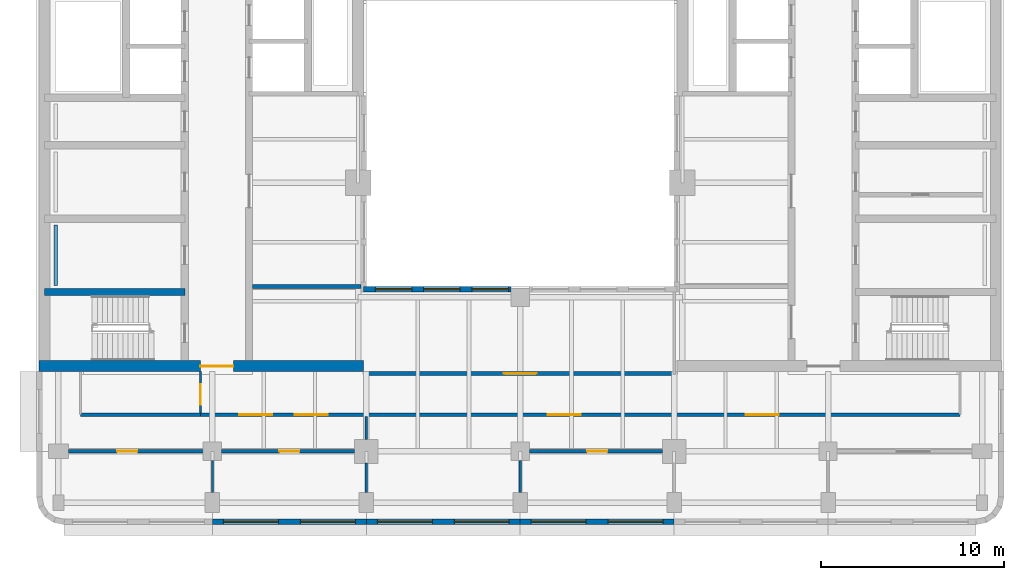
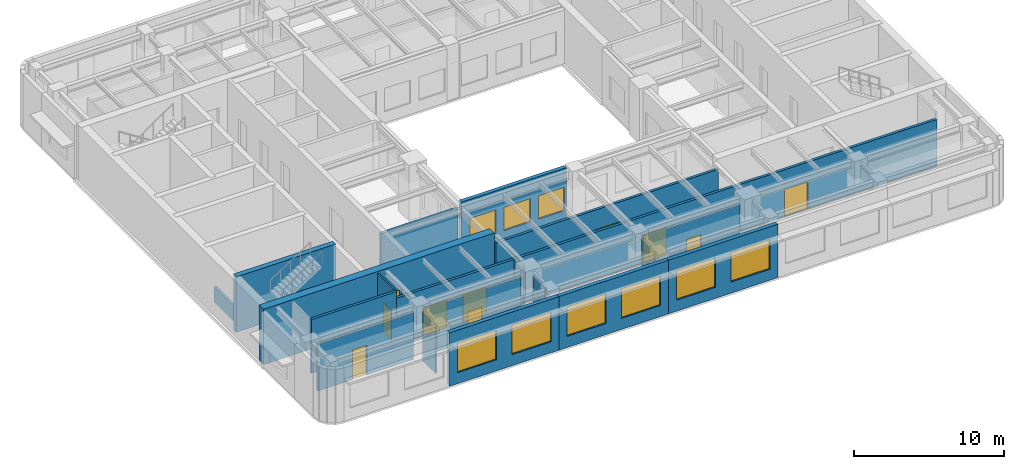
# One storey, part 3 of 11: 19 walls, 10 doors, 9 windows, 19 openings.
"""IFC4 building model written with IfcOpenShell, lengths in metres."""

import ifcopenshell
import ifcopenshell.guid

model = None  # the IFC model being written
_history = None  # IfcOwnerHistory: only IFC2X3 demands one
_inside = {}  # id of a spatial element -> (the spatial element, [elements in it])
_under = {}  # id of a project, library or spatial element -> (it, [spatial elements below it])
_declared = {}  # id of a project -> (the project, [libraries it declares])
_typed = {}  # id of a type object -> (the type object, [elements of that type])
_made_of = {}  # id of a material, layer set ... -> (it, [elements and type objects made of it])


def new_model(schema):
    """Start an empty IFC model of exactly this schema.

    Asked for "IFC4X3", IfcOpenShell would pick the latest addendum, in which some entities
    have other attributes; the version numbers below select the first issue.
    IFC2X3 requires an IfcOwnerHistory on every rooted entity: one is made here for all.
    """
    global model, _history
    if schema == "IFC4X3":
        model = ifcopenshell.file(schema_version=(4, 3, 0, 0))
    else:
        model = ifcopenshell.file(schema=schema)
    _inside.clear()
    _under.clear()
    _declared.clear()
    _typed.clear()
    _made_of.clear()
    _history = None
    if model.schema == "IFC2X3":
        org = make("IfcOrganization", Name="unknown")
        user = make(
            "IfcPersonAndOrganization",
            ThePerson=make("IfcPerson", FamilyName="unknown"),
            TheOrganization=org,
        )
        app = make(
            "IfcApplication",
            ApplicationDeveloper=org,
            Version="unknown",
            ApplicationFullName="unknown",
            ApplicationIdentifier="unknown",
        )
        _history = make(
            "IfcOwnerHistory",
            OwningUser=user,
            OwningApplication=app,
            ChangeAction="ADDED",
            CreationDate=0,
        )
    return model


def make(cls, **values):
    """One entity of the class cls with the attributes given. An attribute that is None is left unset."""
    return model.create_entity(
        cls, **{name: value for name, value in values.items() if value is not None}
    )


def rooted(cls, **values):
    """An entity with a GlobalId (a new one), such as an element, a storey or a relation."""
    return make(cls, GlobalId=ifcopenshell.guid.new(), OwnerHistory=_history, **values)


def si_unit(unit_type, name, prefix=None):
    """IfcSIUnit, for example si_unit("LENGTHUNIT", "METRE", prefix="MILLI")."""
    return make("IfcSIUnit", UnitType=unit_type, Prefix=prefix, Name=name)


def assignment(units):
    """IfcUnitAssignment: the units of a project."""
    return None if units is None else make("IfcUnitAssignment", Units=units)


def point(xyz):
    """IfcCartesianPoint."""
    return None if xyz is None else make("IfcCartesianPoint", Coordinates=xyz)


def direction(xyz):
    """IfcDirection."""
    return None if xyz is None else make("IfcDirection", DirectionRatios=xyz)


def frame(location, z_axis=None, x_axis=None):
    """IfcAxis2Placement3D, a coordinate frame: its origin and axes. An axis left out is left unset."""
    return make(
        "IfcAxis2Placement3D",
        Location=point(location),
        Axis=direction(z_axis),
        RefDirection=direction(x_axis),
    )


def frame_2d(location, x_axis=None):
    """IfcAxis2Placement2D, a coordinate frame in the plane: its origin and x axis."""
    return make(
        "IfcAxis2Placement2D", Location=point(location), RefDirection=direction(x_axis)
    )


def origin():
    """The frame at (0, 0, 0) with its axes left unset."""
    return frame((0.0, 0.0, 0.0))


def place(relative_to, where):
    """IfcLocalPlacement: puts the frame where relative to a parent placement (None: the world)."""
    return make(
        "IfcLocalPlacement", PlacementRelTo=relative_to, RelativePlacement=where
    )


def context(
    kind, dimensions, precision=None, world=None, true_north=None, identifier=None
):
    """IfcGeometricRepresentationContext, for example the 3D "Model" context."""
    return make(
        "IfcGeometricRepresentationContext",
        ContextIdentifier=identifier,
        ContextType=kind,
        CoordinateSpaceDimension=dimensions,
        Precision=precision,
        WorldCoordinateSystem=world,
        TrueNorth=true_north,
    )


def subcontext(parent, identifier, kind, view, scale=None):
    """IfcGeometricRepresentationSubContext, for example "Body" below "Model"."""
    return make(
        "IfcGeometricRepresentationSubContext",
        ContextIdentifier=identifier,
        ContextType=kind,
        ParentContext=parent,
        TargetScale=scale,
        TargetView=view,
    )


def project(units=None, contexts=None):
    """IfcProject with its units and contexts."""
    return rooted(
        "IfcProject",
        Name="project",
        RepresentationContexts=contexts,
        UnitsInContext=assignment(units),
    )


def spatial(cls, under=None, at=None, **own):
    """A site, building, storey or space (cls), placed at a placement, below another one or the project."""
    s = rooted(cls, ObjectPlacement=at, **own)
    if under is not None:
        _under.setdefault(under.id(), (under, []))[1].append(s)
    return s


def profile(cls, at=None, kind="AREA", **sizes):
    """A parametric profile (cls). Its sizes go by their IFC names, for example OverallWidth=200.0."""
    return make(cls, ProfileType=kind, Position=at, **sizes)


def rectangle(**sizes):
    """IfcRectangleProfileDef."""
    return profile("IfcRectangleProfileDef", **sizes)


def extrude(swept, where, along, depth):
    """IfcExtrudedAreaSolid: the profile swept, set in the frame where, extruded along a direction by depth."""
    return make(
        "IfcExtrudedAreaSolid",
        SweptArea=swept,
        Position=where,
        ExtrudedDirection=direction(along),
        Depth=depth,
    )


def shape(context_of_items, identifier, shape_type, items):
    """IfcShapeRepresentation: the items that make up one representation, for example the "Body"."""
    return make(
        "IfcShapeRepresentation",
        ContextOfItems=context_of_items,
        RepresentationIdentifier=identifier,
        RepresentationType=shape_type,
        Items=items,
    )


def material(Name=None, Category=None):
    """IfcMaterial."""
    return make("IfcMaterial", Name=Name, Category=Category)


def layer(
    of_material, thickness, ventilated=None, Name=None, Category=None, Priority=None
):
    """IfcMaterialLayer: one layer of a wall or slab, of a material (None: an air gap)."""
    return make(
        "IfcMaterialLayer",
        Material=of_material,
        LayerThickness=thickness,
        IsVentilated=ventilated,
        Name=Name,
        Category=Category,
        Priority=Priority,
    )


def layer_set(layers, Name=None):
    """IfcMaterialLayerSet."""
    return make("IfcMaterialLayerSet", MaterialLayers=layers, LayerSetName=Name)


def made_of(thing, what):
    """Note that an element or type object is made of a material, layer set ...; save() writes the relation."""
    if what is not None:
        _made_of.setdefault(what.id(), (what, []))[1].append(thing)
    return thing


def type_object(cls, material=None, **own):
    """A type object (cls), such as IfcWallType, which elements share."""
    return made_of(rooted(cls, **own), material)


def element(
    cls,
    number,
    at=None,
    inside=None,
    cuts=None,
    type_object=None,
    material=None,
    context=None,
    identifier="Body",
    shape_type=None,
    held_by="IfcProductDefinitionShape",
    body=None,
    shapes=None,
    **own,
):
    """One element of the class cls, such as IfcWall. Its Tag is "e" and its number.

    at: its placement. inside: the storey or other place that contains it. cuts: it is an
    opening in that element (IfcRelVoidsElement). A single representation is given by context,
    identifier, shape_type and body (its items); several are given by shapes. held_by: the class
    of the entity that holds the representations. save() writes the other relations.
    """
    e = rooted(cls, Tag="e%d" % number, ObjectPlacement=at, **own)
    if body is not None:
        shapes = [shape(context, identifier, shape_type, body)]
    if shapes is not None:
        e.Representation = make(held_by, Representations=shapes)
    if inside is not None:
        _inside.setdefault(inside.id(), (inside, []))[1].append(e)
    if cuts is not None:
        rooted(
            "IfcRelVoidsElement", RelatingBuildingElement=cuts, RelatedOpeningElement=e
        )
    if type_object is not None:
        _typed.setdefault(type_object.id(), (type_object, []))[1].append(e)
    return made_of(e, material)


def fill(opening, filler):
    """IfcRelFillsElement: the door or window that sits in an opening."""
    return rooted(
        "IfcRelFillsElement",
        RelatingOpeningElement=opening,
        RelatedBuildingElement=filler,
    )


def aggregate(whole, parts):
    """IfcRelAggregates: a whole, such as a stair, and the parts it consists of."""
    return rooted("IfcRelAggregates", RelatingObject=whole, RelatedObjects=parts)


def save(model, path):
    """Write the relations noted so far, then the file.

    IfcRelAggregates (storeys below a building ...), IfcRelContainedInSpatialStructure (elements
    in a storey), IfcRelDefinesByType, IfcRelAssociatesMaterial and IfcRelDeclares: one each for
    every whole, place, type object, material and project.
    """
    for whole, parts in _under.values():
        aggregate(whole, parts)
    for where, things in _inside.values():
        rooted(
            "IfcRelContainedInSpatialStructure",
            RelatedElements=things,
            RelatingStructure=where,
        )
    for kind, things in _typed.values():
        rooted("IfcRelDefinesByType", RelatedObjects=things, RelatingType=kind)
    for what, things in _made_of.values():
        rooted("IfcRelAssociatesMaterial", RelatedObjects=things, RelatingMaterial=what)
    for by, libraries in _declared.values():
        rooted("IfcRelDeclares", RelatingContext=by, RelatedDefinitions=libraries)
    model.write(path)


model = new_model("IFC4")

# Units and contexts
model_context = context("Model", 3, precision=1e-05, world=origin(), true_north=direction((0.0, 1.0)))
body_context = subcontext(model_context, "Body", "Model", "MODEL_VIEW")
ifc_project = project(units=[si_unit("LENGTHUNIT", "METRE"), si_unit("AREAUNIT", "SQUARE_METRE"), si_unit("VOLUMEUNIT", "CUBIC_METRE"), si_unit("PLANEANGLEUNIT", "RADIAN"), si_unit("MASSUNIT", "GRAM", prefix="KILO")], contexts=[model_context])

# Site, building, storey
site_placement = place(None, origin())
site = spatial("IfcSite", under=ifc_project, at=site_placement, CompositionType="ELEMENT")
building_placement = place(site_placement, origin())
building = spatial("IfcBuilding", under=site, at=building_placement, Name="Claustro Exchange Tower", CompositionType="ELEMENT")
storey_placement = place(building_placement, frame((0.0, 0.0, 272.699951171875)))
storey = spatial("IfcBuildingStorey", under=building, at=storey_placement, Name="L62", CompositionType="ELEMENT", Elevation=272.699951171875)

# Walls
ifc_material_1 = material(Name="Laminated glass in aluminium frame", Category="aluminium")
ifc_layer_1 = layer(ifc_material_1, 0.1201171875)
ifc_layer_set_1 = layer_set([ifc_layer_1], Name="Laminated glass in aluminium frame")
wall_type_1 = type_object("IfcWallType", Name="P2 120 glazed partition", PredefinedType="PARTITIONING", material=ifc_layer_set_1)
wall_1_placement = place(storey_placement, frame((8.39990234375, 6.14892578125, 0.0), z_axis=(0.0, 0.0, 1.0), x_axis=(0.0, 1.0, 0.0)))
element("IfcWall", 1, at=wall_1_placement, inside=storey, type_object=wall_type_1, Name="Partition P2 L62", PredefinedType="PARTITIONING", context=body_context, shape_type="SweptSolid", body=[
    extrude(rectangle(XDim=1.751953125, YDim=0.1201171875, at=frame_2d((0.8759765625, 0.0))), origin(), (0.0, 0.0, 1.0), 3.989990234375),
])
wall_2_placement = place(storey_placement, frame((16.800048828125, 6.14892578125, 0.0), z_axis=(0.0, 0.0, 1.0), x_axis=(0.0, 1.0, 0.0)))
element("IfcWall", 2, at=wall_2_placement, inside=storey, type_object=wall_type_1, Name="Partition P2 L62", PredefinedType="PARTITIONING", context=body_context, shape_type="SweptSolid", body=[
    extrude(rectangle(XDim=1.60205078125, YDim=0.1201171875, at=frame_2d((0.801025390625, 0.0))), origin(), (0.0, 0.0, 1.0), 3.989990234375),
])
wall_3_placement = place(storey_placement, frame((25.199951171875, 6.14892578125, 0.0), z_axis=(0.0, 0.0, 1.0), x_axis=(0.0, 1.0, 0.0)))
element("IfcWall", 3, at=wall_3_placement, inside=storey, type_object=wall_type_1, Name="Partition P2 L62", PredefinedType="PARTITIONING", context=body_context, shape_type="SweptSolid", body=[
    extrude(rectangle(XDim=1.751953125, YDim=0.1201171875, at=frame_2d((0.8759765625, 0.0))), origin(), (0.0, 0.0, 1.0), 3.989990234375),
])
wall_4_placement = place(storey_placement, frame((16.800048828125, 9.049072265625, 0.0), z_axis=(0.0, 0.0, 1.0), x_axis=(0.0, 1.0, 0.0)))
element("IfcWall", 4, at=wall_4_placement, inside=storey, type_object=wall_type_1, Name="Partition P2 L62", PredefinedType="PARTITIONING", context=body_context, shape_type="SweptSolid", body=[
    extrude(rectangle(XDim=1.2529296875, YDim=0.1201171875, at=frame_2d((0.62646484375, 0.0))), origin(), (0.0, 0.0, 1.0), 3.989990234375),
])

# Wall, opening, door
wall_5_placement = place(storey_placement, frame((7.75, 10.498046875, 0.0), z_axis=(0.0, 0.0, 1.0), x_axis=(0.0, 1.0, 0.0)))
wall_5 = element("IfcWall", 5, at=wall_5_placement, inside=storey, type_object=wall_type_1, Name="Partition P2 L62", PredefinedType="PARTITIONING", context=body_context, shape_type="SweptSolid", body=[
    extrude(rectangle(XDim=2.25390625, YDim=0.1201171875, at=frame_2d((1.126953125, 0.0))), origin(), (0.0, 0.0, 1.0), 4.35009765625),
])
opening_1_placement = place(wall_5_placement, frame((0.451904296875, 0.0, 0.0)))
opening_1 = element("IfcOpeningElement", 6, at=opening_1_placement, cuts=wall_5, Name="Opening D8", PredefinedType="OPENING", context=body_context, shape_type="SweptSolid", body=[
    extrude(rectangle(XDim=1.10009765625, YDim=2.39990234375, at=frame_2d((0.550048828125, 1.199951171875))), frame((0.0, 0.070068359375, 0.0), z_axis=(0.0, -1.0, 0.0), x_axis=(1.0, 0.0, 0.0)), (0.0, 0.0, 1.0), 0.14013671875),
])
ifc_material_2 = material(Name="Timber door, walnut veneer", Category="wood")
door_type_1 = type_object("IfcDoorType", Name="D8 1100 x 2400 executive door", OperationType="SINGLE_SWING_LEFT", PredefinedType="DOOR", material=ifc_material_2)
door_1_placement = place(opening_1_placement, origin())
door_1 = element("IfcDoor", 7, at=door_1_placement, inside=storey, type_object=door_type_1, Name="Door D8 L62", OperationType="SINGLE_SWING_LEFT", OverallHeight=2.39990234375, OverallWidth=1.10009765625, PredefinedType="DOOR", context=body_context, shape_type="SweptSolid", body=[
    extrude(rectangle(XDim=1.10009765625, YDim=2.39990234375, at=frame_2d((0.550048828125, 1.199951171875))), frame((0.0, 0.02490234375, 0.0), z_axis=(0.0, -1.0, 0.0), x_axis=(1.0, 0.0, 0.0)), (0.0, 0.0, 1.0), 0.050048828125),
])
fill(opening_1, door_1)

# Wall
ifc_material_3 = material(Name="Twin-skin gypsum board on steel studs, mineral wool", Category="steel")
ifc_layer_2 = layer(ifc_material_3, 0.199951171875)
ifc_layer_set_2 = layer_set([ifc_layer_2], Name="Twin-skin gypsum board on steel studs, mineral wool")
wall_type_2 = type_object("IfcWallType", Name="P3 200 acoustic partition", PredefinedType="PARTITIONING", material=ifc_layer_set_2)
wall_6_placement = place(storey_placement, frame((10.597900390625, 17.39990234375, 0.0), z_axis=(0.0, 0.0, 1.0), x_axis=(1.0, 0.0, 0.0)))
element("IfcWall", 8, at=wall_6_placement, inside=storey, type_object=wall_type_2, Name="Partition P3 L62", PredefinedType="PARTITIONING", context=body_context, shape_type="SweptSolid", body=[
    extrude(rectangle(XDim=5.904052734375, YDim=0.199951171875, at=frame_2d((2.9521484375, 0.0))), origin(), (0.0, 0.0, 1.0), 3.800048828125),
])

# Wall, opening, door
wall_7_placement = place(storey_placement, frame((0.549072265625, 8.39990234375, 0.0), z_axis=(0.0, 0.0, 1.0), x_axis=(1.0, 0.0, 0.0)))
wall_7 = element("IfcWall", 9, at=wall_7_placement, inside=storey, type_object=wall_type_2, Name="Partition P3 L62", PredefinedType="PARTITIONING", context=body_context, shape_type="SweptSolid", body=[
    extrude(rectangle(XDim=7.351806640625, YDim=0.199951171875, at=frame_2d((3.67578125, 0.0))), origin(), (0.0, 0.0, 1.0), 3.800048828125),
])
opening_2_placement = place(wall_7_placement, frame((2.65087890625, 0.0, 0.0)))
opening_2 = element("IfcOpeningElement", 10, at=opening_2_placement, cuts=wall_7, Name="Opening D8", PredefinedType="OPENING", context=body_context, shape_type="SweptSolid", body=[
    extrude(rectangle(XDim=1.10009765625, YDim=2.39990234375, at=frame_2d((0.550048828125, 1.199951171875))), frame((0.0, 0.10986328125, 0.0), z_axis=(0.0, -1.0, 0.0), x_axis=(1.0, 0.0, 0.0)), (0.0, 0.0, 1.0), 0.219970703125),
])
door_2_placement = place(opening_2_placement, frame((1.10009765625, 0.0, 0.0), z_axis=(0.0, 0.0, 1.0), x_axis=(-1.0, 0.0, 0.0)))
door_2 = element("IfcDoor", 11, at=door_2_placement, inside=storey, type_object=door_type_1, Name="Door D8 L62", OperationType="SINGLE_SWING_LEFT", OverallHeight=2.39990234375, OverallWidth=1.10009765625, PredefinedType="DOOR", context=body_context, shape_type="SweptSolid", body=[
    extrude(rectangle(XDim=1.10009765625, YDim=2.39990234375, at=frame_2d((0.550048828125, 1.199951171875))), frame((0.0, 0.02490234375, 0.0), z_axis=(0.0, -1.0, 0.0), x_axis=(1.0, 0.0, 0.0)), (0.0, 0.0, 1.0), 0.050048828125),
])
fill(opening_2, door_2)

wall_8_placement = place(storey_placement, frame((8.89892578125, 8.39990234375, 0.0), z_axis=(0.0, 0.0, 1.0), x_axis=(1.0, 0.0, 0.0)))
wall_8 = element("IfcWall", 12, at=wall_8_placement, inside=storey, type_object=wall_type_2, Name="Partition P3 L62", PredefinedType="PARTITIONING", context=body_context, shape_type="SweptSolid", body=[
    extrude(rectangle(XDim=7.251953125, YDim=0.199951171875, at=frame_2d((3.6259765625, 0.0))), origin(), (0.0, 0.0, 1.0), 3.800048828125),
])
opening_3_placement = place(wall_8_placement, frame((3.15087890625, 0.0, 0.0)))
opening_3 = element("IfcOpeningElement", 13, at=opening_3_placement, cuts=wall_8, Name="Opening D8", PredefinedType="OPENING", context=body_context, shape_type="SweptSolid", body=[
    extrude(rectangle(XDim=1.10009765625, YDim=2.39990234375, at=frame_2d((0.550048828125, 1.199951171875))), frame((0.0, 0.10986328125, 0.0), z_axis=(0.0, -1.0, 0.0), x_axis=(1.0, 0.0, 0.0)), (0.0, 0.0, 1.0), 0.219970703125),
])
door_3_placement = place(opening_3_placement, frame((1.10009765625, 0.0, 0.0), z_axis=(0.0, 0.0, 1.0), x_axis=(-1.0, 0.0, 0.0)))
door_3 = element("IfcDoor", 14, at=door_3_placement, inside=storey, type_object=door_type_1, Name="Door D8 L62", OperationType="SINGLE_SWING_RIGHT", OverallHeight=2.39990234375, OverallWidth=1.10009765625, PredefinedType="DOOR", context=body_context, shape_type="SweptSolid", body=[
    extrude(rectangle(XDim=1.10009765625, YDim=2.39990234375, at=frame_2d((0.550048828125, 1.199951171875))), frame((0.0, 0.02490234375, 0.0), z_axis=(0.0, -1.0, 0.0), x_axis=(1.0, 0.0, 0.0)), (0.0, 0.0, 1.0), 0.050048828125),
])
fill(opening_3, door_3)

wall_9_placement = place(storey_placement, frame((25.698974609375, 8.39990234375, 0.0), z_axis=(0.0, 0.0, 1.0), x_axis=(1.0, 0.0, 0.0)))
wall_9 = element("IfcWall", 15, at=wall_9_placement, inside=storey, type_object=wall_type_2, Name="Partition P3 L62", PredefinedType="PARTITIONING", context=body_context, shape_type="SweptSolid", body=[
    extrude(rectangle(XDim=7.251953125, YDim=0.199951171875, at=frame_2d((3.6259765625, 0.0))), origin(), (0.0, 0.0, 1.0), 3.800048828125),
])
opening_4_placement = place(wall_9_placement, frame((3.15087890625, 0.0, 0.0)))
opening_4 = element("IfcOpeningElement", 16, at=opening_4_placement, cuts=wall_9, Name="Opening D8", PredefinedType="OPENING", context=body_context, shape_type="SweptSolid", body=[
    extrude(rectangle(XDim=1.10009765625, YDim=2.39990234375, at=frame_2d((0.550048828125, 1.199951171875))), frame((0.0, 0.10986328125, 0.0), z_axis=(0.0, -1.0, 0.0), x_axis=(1.0, 0.0, 0.0)), (0.0, 0.0, 1.0), 0.219970703125),
])
door_4_placement = place(opening_4_placement, frame((1.10009765625, 0.0, 0.0), z_axis=(0.0, 0.0, 1.0), x_axis=(-1.0, 0.0, 0.0)))
door_4 = element("IfcDoor", 17, at=door_4_placement, inside=storey, type_object=door_type_1, Name="Door D8 L62", OperationType="SINGLE_SWING_LEFT", OverallHeight=2.39990234375, OverallWidth=1.10009765625, PredefinedType="DOOR", context=body_context, shape_type="SweptSolid", body=[
    extrude(rectangle(XDim=1.10009765625, YDim=2.39990234375, at=frame_2d((0.550048828125, 1.199951171875))), frame((0.0, 0.02490234375, 0.0), z_axis=(0.0, -1.0, 0.0), x_axis=(1.0, 0.0, 0.0)), (0.0, 0.0, 1.0), 0.050048828125),
])
fill(opening_4, door_4)

# Wall, openings, doors
wall_10_placement = place(storey_placement, frame((7.748046875, 10.39990234375, 0.0), z_axis=(0.0, 0.0, 1.0), x_axis=(1.0, 0.0, 0.0)))
wall_10 = element("IfcWall", 18, at=wall_10_placement, inside=storey, type_object=wall_type_2, Name="Partition P3 L62", PredefinedType="PARTITIONING", context=body_context, shape_type="SweptSolid", body=[
    extrude(rectangle(XDim=41.451904296875, YDim=0.199951171875, at=frame_2d((20.72607421875, 0.0))), origin(), (0.0, 0.0, 1.0), 3.800048828125),
])
opening_5_placement = place(wall_10_placement, frame((2.11865234375, 0.0, 0.0)))
opening_5 = element("IfcOpeningElement", 19, at=opening_5_placement, cuts=wall_10, Name="Opening D2", PredefinedType="OPENING", context=body_context, shape_type="SweptSolid", body=[
    extrude(rectangle(XDim=1.800048828125, YDim=2.199951171875, at=frame_2d((0.89990234375, 1.10009765625))), frame((0.0, 0.10986328125, 0.0), z_axis=(0.0, -1.0, 0.0), x_axis=(1.0, 0.0, 0.0)), (0.0, 0.0, 1.0), 0.219970703125),
])
opening_6_placement = place(wall_10_placement, frame((5.13525390625, 0.0, 0.0)))
opening_6 = element("IfcOpeningElement", 20, at=opening_6_placement, cuts=wall_10, Name="Opening D2", PredefinedType="OPENING", context=body_context, shape_type="SweptSolid", body=[
    extrude(rectangle(XDim=1.800048828125, YDim=2.199951171875, at=frame_2d((0.89990234375, 1.10009765625))), frame((0.0, 0.10986328125, 0.0), z_axis=(0.0, -1.0, 0.0), x_axis=(1.0, 0.0, 0.0)), (0.0, 0.0, 1.0), 0.219970703125),
])
opening_7_placement = place(wall_10_placement, frame((18.951904296875, 0.0, 0.0)))
opening_7 = element("IfcOpeningElement", 21, at=opening_7_placement, cuts=wall_10, Name="Opening D2", PredefinedType="OPENING", context=body_context, shape_type="SweptSolid", body=[
    extrude(rectangle(XDim=1.800048828125, YDim=2.199951171875, at=frame_2d((0.89990234375, 1.10009765625))), frame((0.0, 0.10986328125, 0.0), z_axis=(0.0, -1.0, 0.0), x_axis=(1.0, 0.0, 0.0)), (0.0, 0.0, 1.0), 0.219970703125),
])
opening_8_placement = place(wall_10_placement, frame((29.751953125, 0.0, 0.0)))
opening_8 = element("IfcOpeningElement", 22, at=opening_8_placement, cuts=wall_10, Name="Opening D2", PredefinedType="OPENING", context=body_context, shape_type="SweptSolid", body=[
    extrude(rectangle(XDim=1.800048828125, YDim=2.199951171875, at=frame_2d((0.89990234375, 1.10009765625))), frame((0.0, 0.10986328125, 0.0), z_axis=(0.0, -1.0, 0.0), x_axis=(1.0, 0.0, 0.0)), (0.0, 0.0, 1.0), 0.219970703125),
])
ifc_material_4 = material(Name="Timber door, oak veneer", Category="wood")
door_type_2 = type_object("IfcDoorType", Name="D2 1800 x 2200 double door", OperationType="DOUBLE_DOOR_SINGLE_SWING", PredefinedType="DOOR", material=ifc_material_4)
door_5_placement = place(opening_5_placement, frame((1.800048828125, 0.0, 0.0), z_axis=(0.0, 0.0, 1.0), x_axis=(-1.0, 0.0, 0.0)))
door_5 = element("IfcDoor", 23, at=door_5_placement, inside=storey, type_object=door_type_2, Name="Double door D2 L62", OperationType="DOUBLE_DOOR_SINGLE_SWING", OverallHeight=2.199951171875, OverallWidth=1.800048828125, PredefinedType="DOOR", context=body_context, shape_type="SweptSolid", body=[
    extrude(rectangle(XDim=1.800048828125, YDim=2.199951171875, at=frame_2d((0.89990234375, 1.10009765625))), frame((0.0, 0.02490234375, 0.0), z_axis=(0.0, -1.0, 0.0), x_axis=(1.0, 0.0, 0.0)), (0.0, 0.0, 1.0), 0.050048828125),
])
fill(opening_5, door_5)
door_6_placement = place(opening_6_placement, frame((1.800048828125, 0.0, 0.0), z_axis=(0.0, 0.0, 1.0), x_axis=(-1.0, 0.0, 0.0)))
door_6 = element("IfcDoor", 24, at=door_6_placement, inside=storey, type_object=door_type_2, Name="Double door D2 L62", OperationType="DOUBLE_DOOR_SINGLE_SWING", OverallHeight=2.199951171875, OverallWidth=1.800048828125, PredefinedType="DOOR", context=body_context, shape_type="SweptSolid", body=[
    extrude(rectangle(XDim=1.800048828125, YDim=2.199951171875, at=frame_2d((0.89990234375, 1.10009765625))), frame((0.0, 0.02490234375, 0.0), z_axis=(0.0, -1.0, 0.0), x_axis=(1.0, 0.0, 0.0)), (0.0, 0.0, 1.0), 0.050048828125),
])
fill(opening_6, door_6)
door_7_placement = place(opening_7_placement, frame((1.800048828125, 0.0, 0.0), z_axis=(0.0, 0.0, 1.0), x_axis=(-1.0, 0.0, 0.0)))
door_7 = element("IfcDoor", 25, at=door_7_placement, inside=storey, type_object=door_type_2, Name="Double door D2 L62", OperationType="DOUBLE_DOOR_SINGLE_SWING", OverallHeight=2.199951171875, OverallWidth=1.800048828125, PredefinedType="DOOR", context=body_context, shape_type="SweptSolid", body=[
    extrude(rectangle(XDim=1.800048828125, YDim=2.199951171875, at=frame_2d((0.89990234375, 1.10009765625))), frame((0.0, 0.02490234375, 0.0), z_axis=(0.0, -1.0, 0.0), x_axis=(1.0, 0.0, 0.0)), (0.0, 0.0, 1.0), 0.050048828125),
])
fill(opening_7, door_7)
door_8_placement = place(opening_8_placement, frame((1.800048828125, 0.0, 0.0), z_axis=(0.0, 0.0, 1.0), x_axis=(-1.0, 0.0, 0.0)))
door_8 = element("IfcDoor", 26, at=door_8_placement, inside=storey, type_object=door_type_2, Name="Double door D2 L62", OperationType="DOUBLE_DOOR_SINGLE_SWING", OverallHeight=2.199951171875, OverallWidth=1.800048828125, PredefinedType="DOOR", context=body_context, shape_type="SweptSolid", body=[
    extrude(rectangle(XDim=1.800048828125, YDim=2.199951171875, at=frame_2d((0.89990234375, 1.10009765625))), frame((0.0, 0.02490234375, 0.0), z_axis=(0.0, -1.0, 0.0), x_axis=(1.0, 0.0, 0.0)), (0.0, 0.0, 1.0), 0.050048828125),
])
fill(opening_8, door_8)

# Wall
wall_11_placement = place(storey_placement, frame((1.199951171875, 10.39990234375, 0.0), z_axis=(0.0, 0.0, 1.0), x_axis=(1.0, 0.0, 0.0)))
element("IfcWall", 27, at=wall_11_placement, inside=storey, type_object=wall_type_2, Name="Partition P3 L62", PredefinedType="PARTITIONING", context=body_context, shape_type="SweptSolid", body=[
    extrude(rectangle(XDim=6.552001953125, YDim=0.199951171875, at=frame_2d((3.27587890625, 0.0))), origin(), (0.0, 0.0, 1.0), 4.35009765625),
])

# Wall, opening, door
wall_12_placement = place(storey_placement, frame((16.64990234375, 12.64990234375, 0.0), z_axis=(0.0, 0.0, 1.0), x_axis=(1.0, 0.0, 0.0)))
wall_12 = element("IfcWall", 28, at=wall_12_placement, inside=storey, type_object=wall_type_2, Name="Partition P3 L62", PredefinedType="PARTITIONING", context=body_context, shape_type="SweptSolid", body=[
    extrude(rectangle(XDim=17.10009765625, YDim=0.199951171875, at=frame_2d((8.550048828125, 0.0))), origin(), (0.0, 0.0, 1.0), 3.800048828125),
])
opening_9_placement = place(wall_12_placement, frame((7.650146484375, 0.0, 0.0)))
opening_9 = element("IfcOpeningElement", 29, at=opening_9_placement, cuts=wall_12, Name="Opening D2", PredefinedType="OPENING", context=body_context, shape_type="SweptSolid", body=[
    extrude(rectangle(XDim=1.800048828125, YDim=2.199951171875, at=frame_2d((0.89990234375, 1.10009765625))), frame((0.0, 0.10986328125, 0.0), z_axis=(0.0, -1.0, 0.0), x_axis=(1.0, 0.0, 0.0)), (0.0, 0.0, 1.0), 0.219970703125),
])
door_9_placement = place(opening_9_placement, frame((1.800048828125, 0.0, 0.0), z_axis=(0.0, 0.0, 1.0), x_axis=(-1.0, 0.0, 0.0)))
door_9 = element("IfcDoor", 30, at=door_9_placement, inside=storey, type_object=door_type_2, Name="Double door D2 L62", OperationType="DOUBLE_DOOR_SINGLE_SWING", OverallHeight=2.199951171875, OverallWidth=1.800048828125, PredefinedType="DOOR", context=body_context, shape_type="SweptSolid", body=[
    extrude(rectangle(XDim=1.800048828125, YDim=2.199951171875, at=frame_2d((0.89990234375, 1.10009765625))), frame((0.0, 0.02490234375, 0.0), z_axis=(0.0, -1.0, 0.0), x_axis=(1.0, 0.0, 0.0)), (0.0, 0.0, 1.0), 0.050048828125),
])
fill(opening_9, door_9)

# Wall, openings, windows
ifc_material_5 = material(Name="Concrete HA-40 (C40/50), precast, white cement, acid-etched", Category="concrete")
ifc_layer_3 = layer(ifc_material_5, 0.300048828125)
ifc_layer_set_3 = layer_set([ifc_layer_3], Name="Concrete HA-40 (C40/50), precast, white cement, acid-etched")
wall_type_3 = type_object("IfcWallType", Name="PC1 300 precast concrete pier panel", PredefinedType="SOLIDWALL", material=ifc_layer_set_3)
wall_13_placement = place(storey_placement, frame((33.60009765625, 4.550048828125, 0.0), z_axis=(0.0, 0.0, 1.0), x_axis=(-1.0, 0.0, 0.0)))
wall_13 = element("IfcWall", 31, at=wall_13_placement, inside=storey, type_object=wall_type_3, Name="Precast pier panel PC1 L62", PredefinedType="SOLIDWALL", context=body_context, shape_type="SweptSolid", body=[
    extrude(rectangle(XDim=8.400146484375, YDim=0.300048828125, at=frame_2d((4.2001953125, 0.0))), origin(), (0.0, 0.0, 1.0), 4.35009765625),
])
opening_10_placement = place(wall_13_placement, frame((0.60009765625, 0.0, 0.89990234375)))
opening_10 = element("IfcOpeningElement", 32, at=opening_10_placement, cuts=wall_13, Name="Opening W3", PredefinedType="OPENING", context=body_context, shape_type="SweptSolid", body=[
    extrude(rectangle(XDim=3.0, YDim=2.39990234375, at=frame_2d((1.5, 1.199951171875))), frame((0.0, 0.159912109375, 0.0), z_axis=(0.0, -1.0, 0.0), x_axis=(1.0, 0.0, 0.0)), (0.0, 0.0, 1.0), 0.320068359375),
])
opening_11_placement = place(wall_13_placement, frame((4.800048828125, 0.0, 0.89990234375)))
opening_11 = element("IfcOpeningElement", 33, at=opening_11_placement, cuts=wall_13, Name="Opening W3", PredefinedType="OPENING", context=body_context, shape_type="SweptSolid", body=[
    extrude(rectangle(XDim=3.0, YDim=2.39990234375, at=frame_2d((1.5, 1.199951171875))), frame((0.0, 0.159912109375, 0.0), z_axis=(0.0, -1.0, 0.0), x_axis=(1.0, 0.0, 0.0)), (0.0, 0.0, 1.0), 0.320068359375),
])
ifc_material_6 = material(Name="Aluminium frame, clear double glazing", Category="aluminium")
window_type_1 = type_object("IfcWindowType", Name="W3 3000 x 2400 window", PartitioningType="SINGLE_PANEL", PredefinedType="WINDOW", material=ifc_material_6)
window_1_placement = place(opening_10_placement, origin())
window_1 = element("IfcWindow", 34, at=window_1_placement, inside=storey, type_object=window_type_1, Name="Window W3 L62", OverallHeight=2.39990234375, OverallWidth=3.0, PartitioningType="SINGLE_PANEL", PredefinedType="WINDOW", context=body_context, shape_type="SweptSolid", body=[
    extrude(rectangle(XDim=3.0, YDim=2.39990234375, at=frame_2d((1.5, 1.199951171875))), frame((0.0, 0.030029296875, 0.0), z_axis=(0.0, -1.0, 0.0), x_axis=(1.0, 0.0, 0.0)), (0.0, 0.0, 1.0), 0.06005859375),
])
fill(opening_10, window_1)
window_2_placement = place(opening_11_placement, origin())
window_2 = element("IfcWindow", 35, at=window_2_placement, inside=storey, type_object=window_type_1, Name="Window W3 L62", OverallHeight=2.39990234375, OverallWidth=3.0, PartitioningType="SINGLE_PANEL", PredefinedType="WINDOW", context=body_context, shape_type="SweptSolid", body=[
    extrude(rectangle(XDim=3.0, YDim=2.39990234375, at=frame_2d((1.5, 1.199951171875))), frame((0.0, 0.030029296875, 0.0), z_axis=(0.0, -1.0, 0.0), x_axis=(1.0, 0.0, 0.0)), (0.0, 0.0, 1.0), 0.06005859375),
])
fill(opening_11, window_2)

wall_14_placement = place(storey_placement, frame((25.199951171875, 4.550048828125, 0.0), z_axis=(0.0, 0.0, 1.0), x_axis=(-1.0, 0.0, 0.0)))
wall_14 = element("IfcWall", 36, at=wall_14_placement, inside=storey, type_object=wall_type_3, Name="Precast pier panel PC1 L62", PredefinedType="SOLIDWALL", context=body_context, shape_type="SweptSolid", body=[
    extrude(rectangle(XDim=8.39990234375, YDim=0.300048828125, at=frame_2d((4.199951171875, 0.0))), origin(), (0.0, 0.0, 1.0), 4.35009765625),
])
opening_12_placement = place(wall_14_placement, frame((0.60009765625, 0.0, 0.89990234375)))
opening_12 = element("IfcOpeningElement", 37, at=opening_12_placement, cuts=wall_14, Name="Opening W3", PredefinedType="OPENING", context=body_context, shape_type="SweptSolid", body=[
    extrude(rectangle(XDim=3.0, YDim=2.39990234375, at=frame_2d((1.5, 1.199951171875))), frame((0.0, 0.159912109375, 0.0), z_axis=(0.0, -1.0, 0.0), x_axis=(1.0, 0.0, 0.0)), (0.0, 0.0, 1.0), 0.320068359375),
])
opening_13_placement = place(wall_14_placement, frame((4.800048828125, 0.0, 0.89990234375)))
opening_13 = element("IfcOpeningElement", 38, at=opening_13_placement, cuts=wall_14, Name="Opening W3", PredefinedType="OPENING", context=body_context, shape_type="SweptSolid", body=[
    extrude(rectangle(XDim=3.0, YDim=2.39990234375, at=frame_2d((1.5, 1.199951171875))), frame((0.0, 0.159912109375, 0.0), z_axis=(0.0, -1.0, 0.0), x_axis=(1.0, 0.0, 0.0)), (0.0, 0.0, 1.0), 0.320068359375),
])
window_3_placement = place(opening_12_placement, origin())
window_3 = element("IfcWindow", 39, at=window_3_placement, inside=storey, type_object=window_type_1, Name="Window W3 L62", OverallHeight=2.39990234375, OverallWidth=3.0, PartitioningType="SINGLE_PANEL", PredefinedType="WINDOW", context=body_context, shape_type="SweptSolid", body=[
    extrude(rectangle(XDim=3.0, YDim=2.39990234375, at=frame_2d((1.5, 1.199951171875))), frame((0.0, 0.030029296875, 0.0), z_axis=(0.0, -1.0, 0.0), x_axis=(1.0, 0.0, 0.0)), (0.0, 0.0, 1.0), 0.06005859375),
])
fill(opening_12, window_3)
window_4_placement = place(opening_13_placement, origin())
window_4 = element("IfcWindow", 40, at=window_4_placement, inside=storey, type_object=window_type_1, Name="Window W3 L62", OverallHeight=2.39990234375, OverallWidth=3.0, PartitioningType="SINGLE_PANEL", PredefinedType="WINDOW", context=body_context, shape_type="SweptSolid", body=[
    extrude(rectangle(XDim=3.0, YDim=2.39990234375, at=frame_2d((1.5, 1.199951171875))), frame((0.0, 0.030029296875, 0.0), z_axis=(0.0, -1.0, 0.0), x_axis=(1.0, 0.0, 0.0)), (0.0, 0.0, 1.0), 0.06005859375),
])
fill(opening_13, window_4)

wall_15_placement = place(storey_placement, frame((16.800048828125, 4.550048828125, 0.0), z_axis=(0.0, 0.0, 1.0), x_axis=(-1.0, 0.0, 0.0)))
wall_15 = element("IfcWall", 41, at=wall_15_placement, inside=storey, type_object=wall_type_3, Name="Precast pier panel PC1 L62", PredefinedType="SOLIDWALL", context=body_context, shape_type="SweptSolid", body=[
    extrude(rectangle(XDim=8.400146484375, YDim=0.300048828125, at=frame_2d((4.2001953125, 0.0))), origin(), (0.0, 0.0, 1.0), 4.35009765625),
])
opening_14_placement = place(wall_15_placement, frame((0.60009765625, 0.0, 0.89990234375)))
opening_14 = element("IfcOpeningElement", 42, at=opening_14_placement, cuts=wall_15, Name="Opening W3", PredefinedType="OPENING", context=body_context, shape_type="SweptSolid", body=[
    extrude(rectangle(XDim=3.0, YDim=2.39990234375, at=frame_2d((1.5, 1.199951171875))), frame((0.0, 0.159912109375, 0.0), z_axis=(0.0, -1.0, 0.0), x_axis=(1.0, 0.0, 0.0)), (0.0, 0.0, 1.0), 0.320068359375),
])
opening_15_placement = place(wall_15_placement, frame((4.800048828125, 0.0, 0.89990234375)))
opening_15 = element("IfcOpeningElement", 43, at=opening_15_placement, cuts=wall_15, Name="Opening W3", PredefinedType="OPENING", context=body_context, shape_type="SweptSolid", body=[
    extrude(rectangle(XDim=3.0, YDim=2.39990234375, at=frame_2d((1.5, 1.199951171875))), frame((0.0, 0.159912109375, 0.0), z_axis=(0.0, -1.0, 0.0), x_axis=(1.0, 0.0, 0.0)), (0.0, 0.0, 1.0), 0.320068359375),
])
window_5_placement = place(opening_14_placement, origin())
window_5 = element("IfcWindow", 44, at=window_5_placement, inside=storey, type_object=window_type_1, Name="Window W3 L62", OverallHeight=2.39990234375, OverallWidth=3.0, PartitioningType="SINGLE_PANEL", PredefinedType="WINDOW", context=body_context, shape_type="SweptSolid", body=[
    extrude(rectangle(XDim=3.0, YDim=2.39990234375, at=frame_2d((1.5, 1.199951171875))), frame((0.0, 0.030029296875, 0.0), z_axis=(0.0, -1.0, 0.0), x_axis=(1.0, 0.0, 0.0)), (0.0, 0.0, 1.0), 0.06005859375),
])
fill(opening_14, window_5)
window_6_placement = place(opening_15_placement, origin())
window_6 = element("IfcWindow", 45, at=window_6_placement, inside=storey, type_object=window_type_1, Name="Window W3 L62", OverallHeight=2.39990234375, OverallWidth=3.0, PartitioningType="SINGLE_PANEL", PredefinedType="WINDOW", context=body_context, shape_type="SweptSolid", body=[
    extrude(rectangle(XDim=3.0, YDim=2.39990234375, at=frame_2d((1.5, 1.199951171875))), frame((0.0, 0.030029296875, 0.0), z_axis=(0.0, -1.0, 0.0), x_axis=(1.0, 0.0, 0.0)), (0.0, 0.0, 1.0), 0.06005859375),
])
fill(opening_15, window_6)

wall_16_placement = place(storey_placement, frame((16.64990234375, 17.25, 0.0), z_axis=(0.0, 0.0, 1.0), x_axis=(1.0, 0.0, 0.0)))
wall_16 = element("IfcWall", 46, at=wall_16_placement, inside=storey, type_object=wall_type_3, Name="Precast pier panel PC1 L62", PredefinedType="SOLIDWALL", context=body_context, shape_type="SweptSolid", body=[
    extrude(rectangle(XDim=8.050048828125, YDim=0.300048828125, at=frame_2d((4.02490234375, 0.0))), origin(), (0.0, 0.0, 1.0), 4.35009765625),
])
opening_16_placement = place(wall_16_placement, frame((0.637451171875, 0.0, 0.89990234375)))
opening_16 = element("IfcOpeningElement", 47, at=opening_16_placement, cuts=wall_16, Name="Opening W4", PredefinedType="OPENING", context=body_context, shape_type="SweptSolid", body=[
    extrude(rectangle(XDim=2.0, YDim=1.89990234375, at=frame_2d((1.0, 0.949951171875))), frame((0.0, 0.159912109375, 0.0), z_axis=(0.0, -1.0, 0.0), x_axis=(1.0, 0.0, 0.0)), (0.0, 0.0, 1.0), 0.320068359375),
])
opening_17_placement = place(wall_16_placement, frame((3.27490234375, 0.0, 0.89990234375)))
opening_17 = element("IfcOpeningElement", 48, at=opening_17_placement, cuts=wall_16, Name="Opening W4", PredefinedType="OPENING", context=body_context, shape_type="SweptSolid", body=[
    extrude(rectangle(XDim=2.0, YDim=1.89990234375, at=frame_2d((1.0, 0.949951171875))), frame((0.0, 0.159912109375, 0.0), z_axis=(0.0, -1.0, 0.0), x_axis=(1.0, 0.0, 0.0)), (0.0, 0.0, 1.0), 0.320068359375),
])
opening_18_placement = place(wall_16_placement, frame((5.91259765625, 0.0, 0.89990234375)))
opening_18 = element("IfcOpeningElement", 49, at=opening_18_placement, cuts=wall_16, Name="Opening W4", PredefinedType="OPENING", context=body_context, shape_type="SweptSolid", body=[
    extrude(rectangle(XDim=2.0, YDim=1.89990234375, at=frame_2d((1.0, 0.949951171875))), frame((0.0, 0.159912109375, 0.0), z_axis=(0.0, -1.0, 0.0), x_axis=(1.0, 0.0, 0.0)), (0.0, 0.0, 1.0), 0.320068359375),
])
ifc_material_7 = material(Name="Aluminium frame, clear double glazing", Category="aluminium")
window_type_2 = type_object("IfcWindowType", Name="W4 2000 x 1900 light well window", PartitioningType="SINGLE_PANEL", PredefinedType="WINDOW", material=ifc_material_7)
window_7_placement = place(opening_16_placement, origin())
window_7 = element("IfcWindow", 50, at=window_7_placement, inside=storey, type_object=window_type_2, Name="Window W4 L62", OverallHeight=1.89990234375, OverallWidth=2.0, PartitioningType="SINGLE_PANEL", PredefinedType="WINDOW", context=body_context, shape_type="SweptSolid", body=[
    extrude(rectangle(XDim=2.0, YDim=1.89990234375, at=frame_2d((1.0, 0.949951171875))), frame((0.0, 0.030029296875, 0.0), z_axis=(0.0, -1.0, 0.0), x_axis=(1.0, 0.0, 0.0)), (0.0, 0.0, 1.0), 0.06005859375),
])
fill(opening_16, window_7)
window_8_placement = place(opening_17_placement, origin())
window_8 = element("IfcWindow", 51, at=window_8_placement, inside=storey, type_object=window_type_2, Name="Window W4 L62", OverallHeight=1.89990234375, OverallWidth=2.0, PartitioningType="SINGLE_PANEL", PredefinedType="WINDOW", context=body_context, shape_type="SweptSolid", body=[
    extrude(rectangle(XDim=2.0, YDim=1.89990234375, at=frame_2d((1.0, 0.949951171875))), frame((0.0, 0.030029296875, 0.0), z_axis=(0.0, -1.0, 0.0), x_axis=(1.0, 0.0, 0.0)), (0.0, 0.0, 1.0), 0.06005859375),
])
fill(opening_17, window_8)
window_9_placement = place(opening_18_placement, origin())
window_9 = element("IfcWindow", 52, at=window_9_placement, inside=storey, type_object=window_type_2, Name="Window W4 L62", OverallHeight=1.89990234375, OverallWidth=2.0, PartitioningType="SINGLE_PANEL", PredefinedType="WINDOW", context=body_context, shape_type="SweptSolid", body=[
    extrude(rectangle(XDim=2.0, YDim=1.89990234375, at=frame_2d((1.0, 0.949951171875))), frame((0.0, 0.030029296875, 0.0), z_axis=(0.0, -1.0, 0.0), x_axis=(1.0, 0.0, 0.0)), (0.0, 0.0, 1.0), 0.06005859375),
])
fill(opening_18, window_9)

# Wall
ifc_material_8 = material(Name="Gypsum board on steel studs, tiled", Category="steel")
ifc_layer_4 = layer(ifc_material_8, 0.199951171875)
ifc_layer_set_4 = layer_set([ifc_layer_4], Name="Gypsum board on steel studs, tiled")
wall_type_4 = type_object("IfcWallType", Name="PW1 200 WC duct wall", PredefinedType="PLUMBINGWALL", material=ifc_layer_set_4)
wall_17_placement = place(storey_placement, frame((-0.14990234375, 17.449951171875, 0.0), z_axis=(0.0, 0.0, 1.0), x_axis=(0.0, 1.0, 0.0)))
element("IfcWall", 53, at=wall_17_placement, inside=storey, type_object=wall_type_4, Name="WC duct wall PW1 L62", PredefinedType="PLUMBINGWALL", context=body_context, shape_type="SweptSolid", body=[
    extrude(rectangle(XDim=3.300048828125, YDim=0.199951171875, at=frame_2d((1.64990234375, 0.0))), origin(), (0.0, 0.0, 1.0), 1.199951171875),
])

# Wall, opening, door
ifc_material_9 = material(Name="Concrete HA-50 (C50/60)", Category="concrete")
ifc_layer_5 = layer(ifc_material_9, 0.60009765625)
ifc_layer_set_5 = layer_set([ifc_layer_5], Name="Concrete HA-50 (C50/60)")
wall_type_5 = type_object("IfcWallType", Name="SW3 600 core shear wall", PredefinedType="SHEAR", material=ifc_layer_set_5)
wall_18_placement = place(storey_placement, frame((-1.050048828125, 13.050048828125, 0.0), z_axis=(0.0, 0.0, 1.0), x_axis=(1.0, 0.0, 0.0)))
wall_18 = element("IfcWall", 54, at=wall_18_placement, inside=storey, type_object=wall_type_5, Name="Core wall SW3 W core S face L62", PredefinedType="SHEAR", context=body_context, shape_type="SweptSolid", body=[
    extrude(rectangle(XDim=17.699951171875, YDim=0.60009765625, at=frame_2d((8.85009765625, 0.0))), origin(), (0.0, 0.0, 1.0), 4.5),
])
opening_19_placement = place(wall_18_placement, frame((8.800048828125, 0.0, 0.0)))
opening_19 = element("IfcOpeningElement", 55, at=opening_19_placement, cuts=wall_18, Name="Opening D3", PredefinedType="OPENING", context=body_context, shape_type="SweptSolid", body=[
    extrude(rectangle(XDim=1.800048828125, YDim=2.39990234375, at=frame_2d((0.89990234375, 1.199951171875))), frame((0.0, 0.31005859375, 0.0), z_axis=(0.0, -1.0, 0.0), x_axis=(1.0, 0.0, 0.0)), (0.0, 0.0, 1.0), 0.6201171875),
])
ifc_material_10 = material(Name="Steel fire door, painted", Category="steel")
door_type_3 = type_object("IfcDoorType", Name="D3 1800 x 2400 fire-rated lobby double door", OperationType="DOUBLE_DOOR_SINGLE_SWING", PredefinedType="DOOR", material=ifc_material_10)
door_10_placement = place(opening_19_placement, origin())
door_10 = element("IfcDoor", 56, at=door_10_placement, inside=storey, type_object=door_type_3, Name="Lift lobby door D3 L62", OperationType="DOUBLE_DOOR_SINGLE_SWING", OverallHeight=2.39990234375, OverallWidth=1.800048828125, PredefinedType="DOOR", context=body_context, shape_type="SweptSolid", body=[
    extrude(rectangle(XDim=1.800048828125, YDim=2.39990234375, at=frame_2d((0.89990234375, 1.199951171875))), frame((0.0, 0.02490234375, 0.0), z_axis=(0.0, -1.0, 0.0), x_axis=(1.0, 0.0, 0.0)), (0.0, 0.0, 1.0), 0.050048828125),
])
fill(opening_19, door_10)

# Wall
ifc_material_11 = material(Name="Concrete HA-50 (C50/60)", Category="concrete")
ifc_layer_6 = layer(ifc_material_11, 0.39990234375)
ifc_layer_set_6 = layer_set([ifc_layer_6], Name="Concrete HA-50 (C50/60)")
wall_type_6 = type_object("IfcWallType", Name="SW4 400 internal core wall", PredefinedType="SHEAR", material=ifc_layer_set_6)
wall_19_placement = place(storey_placement, frame((-0.75, 17.10009765625, 0.0), z_axis=(0.0, 0.0, 1.0), x_axis=(1.0, 0.0, 0.0)))
element("IfcWall", 57, at=wall_19_placement, inside=storey, type_object=wall_type_6, Name="Internal core wall SW4 W core L62", PredefinedType="SHEAR", context=body_context, shape_type="SweptSolid", body=[
    extrude(rectangle(XDim=7.64990234375, YDim=0.39990234375, at=frame_2d((3.824951171875, 0.0))), origin(), (0.0, 0.0, 1.0), 4.5),
])

save(model, "model.ifc")
